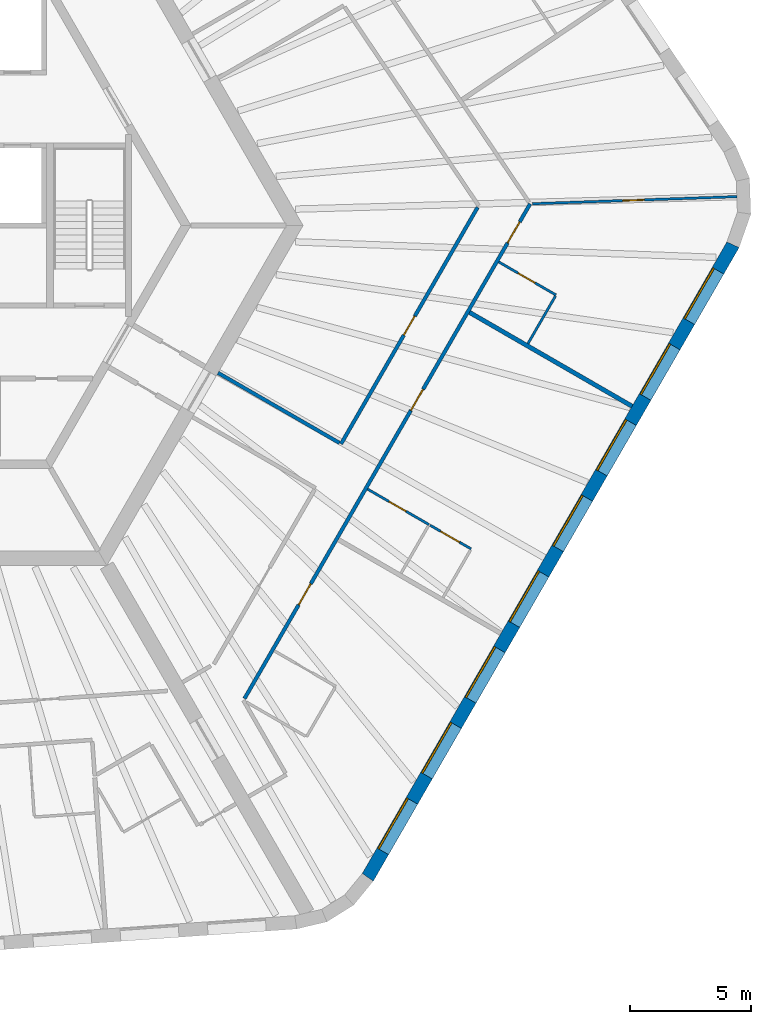
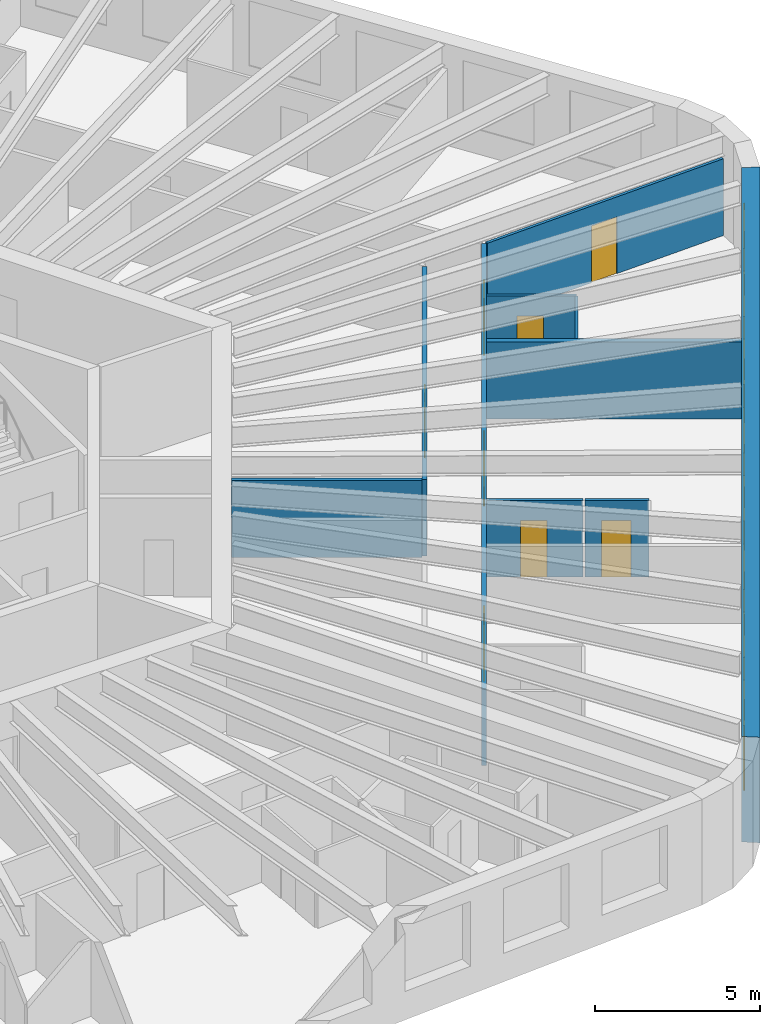
# One storey, part 6 of 12: 10 walls, 8 doors, 8 windows, 16 openings.
"""IFC4 building model written with IfcOpenShell, lengths in metres."""

from ifc_helpers import new_model, si_unit, direction, frame, frame_2d, origin, place, context, subcontext, project, spatial, polyline, rectangle, outline, extrude, material, layer, layer_set, type_object, element, fill, save


model = new_model("IFC4")

# Units and contexts
model_context = context("Model", 3, precision=1e-05, world=origin(), true_north=direction((0.0, 1.0)))
body_context = subcontext(model_context, "Body", "Model", "MODEL_VIEW")
ifc_project = project(units=[si_unit("LENGTHUNIT", "METRE"), si_unit("AREAUNIT", "SQUARE_METRE"), si_unit("VOLUMEUNIT", "CUBIC_METRE"), si_unit("PLANEANGLEUNIT", "RADIAN"), si_unit("MASSUNIT", "GRAM", prefix="KILO")], contexts=[model_context])

# Site, building, storey
site_placement = place(None, origin())
site = spatial("IfcSite", under=ifc_project, at=site_placement, CompositionType="ELEMENT")
building_placement = place(site_placement, origin())
building = spatial("IfcBuilding", under=site, at=building_placement, Name="Tarnside Tower", CompositionType="ELEMENT")
storey_placement = place(building_placement, frame((0.0, 0.0, 138.89990234375)))
storey = spatial("IfcBuildingStorey", under=building, at=storey_placement, Name="L32", CompositionType="ELEMENT", Elevation=138.89990234375)

# Wall, opening, door
ifc_material_1 = material(Name="Gypsum board partition on steel studs", Category="steel")
ifc_layer_1 = layer(ifc_material_1, 0.10009765625)
ifc_layer_set_1 = layer_set([ifc_layer_1], Name="Bathroom wall 100")
wall_type_1 = type_object("IfcWallType", Name="Bathroom wall 100", PredefinedType="PARTITIONING", material=ifc_layer_set_1)
wall_1_placement = place(storey_placement, frame((18.81982421875, -10.85302734375, 0.0), z_axis=(0.0, 0.0, 1.0), x_axis=(0.866046596414, -0.499963291492, 0.0)))
wall_1 = element("IfcWall", 1, at=wall_1_placement, inside=storey, type_object=wall_type_1, Name="Bathroom wall 10138", PredefinedType="PARTITIONING", context=body_context, shape_type="SweptSolid", body=[
    extrude(rectangle(XDim=2.925048828125, YDim=0.10009765625, at=frame_2d((1.46240234375, 0.0))), origin(), (0.0, 0.0, 1.0), 2.837890625),
])
opening_1_placement = place(wall_1_placement, frame((1.02490234375, 0.0, 0.0)))
opening_1 = element("IfcOpeningElement", 2, at=opening_1_placement, cuts=wall_1, Name="Opening D-B1", PredefinedType="OPENING", context=body_context, shape_type="SweptSolid", body=[
    extrude(rectangle(XDim=0.800048828125, YDim=2.10009765625, at=frame_2d((0.39990234375, 1.050048828125))), frame((0.0, 0.06005859375, 0.0), z_axis=(0.0, -1.0, 0.0), x_axis=(1.0, 0.0, 0.0)), (0.0, 0.0, 1.0), 0.1201171875),
])
ifc_material_2 = material(Name="Timber door leaf", Category="wood")
door_type_1 = type_object("IfcDoorType", Name="Bathroom door 800", OperationType="NOTDEFINED", PredefinedType="DOOR", material=ifc_material_2)
door_1_placement = place(opening_1_placement, origin())
door_1 = element("IfcDoor", 3, at=door_1_placement, inside=storey, type_object=door_type_1, Name="Bathroom door 10032", OperationType="SINGLE_SWING_RIGHT", OverallHeight=2.10009765625, OverallWidth=0.800048828125, PredefinedType="DOOR", context=body_context, shape_type="SweptSolid", body=[
    extrude(rectangle(XDim=0.800048828125, YDim=2.10009765625, at=frame_2d((0.39990234375, 1.050048828125))), frame((0.0, 0.02490234375, 0.0), z_axis=(0.0, -1.0, 0.0), x_axis=(1.0, 0.0, 0.0)), (0.0, 0.0, 1.0), 0.050048828125),
])
fill(opening_1, door_1)

wall_2_placement = place(storey_placement, frame((24.219970703125, -1.499755859375, 0.0), z_axis=(0.0, 0.0, 1.0), x_axis=(0.866012511928, -0.500022328685, 0.0)))
wall_2 = element("IfcWall", 4, at=wall_2_placement, inside=storey, type_object=wall_type_1, Name="Bathroom wall 10144", PredefinedType="PARTITIONING", context=body_context, shape_type="SweptSolid", body=[
    extrude(rectangle(XDim=2.72509765625, YDim=0.10009765625, at=frame_2d((1.362548828125, 0.0))), origin(), (0.0, 0.0, 1.0), 2.837890625),
])
opening_2_placement = place(wall_2_placement, frame((0.925048828125, 0.0, 0.0)))
opening_2 = element("IfcOpeningElement", 5, at=opening_2_placement, cuts=wall_2, Name="Opening D-B1", PredefinedType="OPENING", context=body_context, shape_type="SweptSolid", body=[
    extrude(rectangle(XDim=0.800048828125, YDim=2.10009765625, at=frame_2d((0.39990234375, 1.050048828125))), frame((0.0, 0.06005859375, 0.0), z_axis=(0.0, -1.0, 0.0), x_axis=(1.0, 0.0, 0.0)), (0.0, 0.0, 1.0), 0.1201171875),
])
door_2_placement = place(opening_2_placement, origin())
door_2 = element("IfcDoor", 6, at=door_2_placement, inside=storey, type_object=door_type_1, Name="Bathroom door 10035", OperationType="SINGLE_SWING_RIGHT", OverallHeight=2.10009765625, OverallWidth=0.800048828125, PredefinedType="DOOR", context=body_context, shape_type="SweptSolid", body=[
    extrude(rectangle(XDim=0.800048828125, YDim=2.10009765625, at=frame_2d((0.39990234375, 1.050048828125))), frame((0.0, 0.02490234375, 0.0), z_axis=(0.0, -1.0, 0.0), x_axis=(1.0, 0.0, 0.0)), (0.0, 0.0, 1.0), 0.050048828125),
])
fill(opening_2, door_2)

# Wall
wall_3_placement = place(storey_placement, frame((26.554931640625, -2.90576171875, 0.0), z_axis=(0.0, 0.0, 1.0), x_axis=(-0.500077800282, -0.865980481111, 0.0)))
element("IfcWall", 7, at=wall_3_placement, inside=storey, type_object=wall_type_1, Name="Bathroom wall 10145", PredefinedType="PARTITIONING", context=body_context, shape_type="SweptSolid", body=[
    extrude(rectangle(XDim=2.260009765625, YDim=0.10009765625, at=frame_2d((1.1298828125, 0.0))), origin(), (0.0, 0.0, 1.0), 2.837890625),
])

# Wall, openings, doors
ifc_layer_2 = layer(ifc_material_1, 0.14990234375)
ifc_layer_set_2 = layer_set([ifc_layer_2], Name="Corridor wall 150 EI 60")
wall_type_2 = type_object("IfcWallType", Name="Corridor wall 150 EI 60", PredefinedType="PARTITIONING", material=ifc_layer_set_2)
wall_4_placement = place(storey_placement, frame((13.75537109375, -19.47509765625, 0.0), z_axis=(0.0, 0.0, 1.0), x_axis=(0.50000013933, 0.866025323342, 0.0)))
wall_4 = element("IfcWall", 8, at=wall_4_placement, inside=storey, type_object=wall_type_2, Name="Corridor wall 10053", PredefinedType="PARTITIONING", context=body_context, shape_type="SweptSolid", body=[
    extrude(rectangle(XDim=23.5166015625, YDim=0.14990234375, at=frame_2d((11.75830078125, 0.0))), origin(), (0.0, 0.0, 1.0), 2.837890625),
])
opening_3_placement = place(wall_4_placement, frame((4.456298828125, 0.0, 0.0)))
opening_3 = element("IfcOpeningElement", 9, at=opening_3_placement, cuts=wall_4, Name="Opening D-E1", PredefinedType="OPENING", context=body_context, shape_type="SweptSolid", body=[
    extrude(rectangle(XDim=1.0, YDim=2.10009765625, at=frame_2d((0.5, 1.050048828125))), frame((0.0, 0.0849609375, 0.0), z_axis=(0.0, -1.0, 0.0), x_axis=(1.0, 0.0, 0.0)), (0.0, 0.0, 1.0), 0.169921875),
])
opening_4_placement = place(wall_4_placement, frame((13.69921875, 0.0, 0.0)))
opening_4 = element("IfcOpeningElement", 10, at=opening_4_placement, cuts=wall_4, Name="Opening D-E1", PredefinedType="OPENING", context=body_context, shape_type="SweptSolid", body=[
    extrude(rectangle(XDim=1.0, YDim=2.10009765625, at=frame_2d((0.5, 1.050048828125))), frame((0.0, 0.0849609375, 0.0), z_axis=(0.0, -1.0, 0.0), x_axis=(1.0, 0.0, 0.0)), (0.0, 0.0, 1.0), 0.169921875),
])
opening_5_placement = place(wall_4_placement, frame((21.657958984375, 0.0, 0.0)))
opening_5 = element("IfcOpeningElement", 11, at=opening_5_placement, cuts=wall_4, Name="Opening D-E1", PredefinedType="OPENING", context=body_context, shape_type="SweptSolid", body=[
    extrude(rectangle(XDim=1.0, YDim=2.10009765625, at=frame_2d((0.5, 1.050048828125))), frame((0.0, 0.0849609375, 0.0), z_axis=(0.0, -1.0, 0.0), x_axis=(1.0, 0.0, 0.0)), (0.0, 0.0, 1.0), 0.169921875),
])
door_type_2 = type_object("IfcDoorType", Name="Unit entrance door 1000 FD30S", OperationType="NOTDEFINED", PredefinedType="DOOR", material=ifc_material_2)
door_3_placement = place(opening_3_placement, origin())
door_3 = element("IfcDoor", 12, at=door_3_placement, inside=storey, type_object=door_type_2, Name="Unit door 10029", OperationType="SINGLE_SWING_LEFT", OverallHeight=2.10009765625, OverallWidth=1.0, PredefinedType="DOOR", context=body_context, shape_type="SweptSolid", body=[
    extrude(rectangle(XDim=1.0, YDim=2.10009765625, at=frame_2d((0.5, 1.050048828125))), frame((0.0, 0.02490234375, 0.0), z_axis=(0.0, -1.0, 0.0), x_axis=(1.0, 0.0, 0.0)), (0.0, 0.0, 1.0), 0.050048828125),
])
fill(opening_3, door_3)
door_4_placement = place(opening_4_placement, origin())
door_4 = element("IfcDoor", 13, at=door_4_placement, inside=storey, type_object=door_type_2, Name="Unit door 10031", OperationType="SINGLE_SWING_RIGHT", OverallHeight=2.10009765625, OverallWidth=1.0, PredefinedType="DOOR", context=body_context, shape_type="SweptSolid", body=[
    extrude(rectangle(XDim=1.0, YDim=2.10009765625, at=frame_2d((0.5, 1.050048828125))), frame((0.0, 0.02490234375, 0.0), z_axis=(0.0, -1.0, 0.0), x_axis=(1.0, 0.0, 0.0)), (0.0, 0.0, 1.0), 0.050048828125),
])
fill(opening_4, door_4)
door_5_placement = place(opening_5_placement, origin())
door_5 = element("IfcDoor", 14, at=door_5_placement, inside=storey, type_object=door_type_2, Name="Unit door 10034", OperationType="SINGLE_SWING_RIGHT", OverallHeight=2.10009765625, OverallWidth=1.0, PredefinedType="DOOR", context=body_context, shape_type="SweptSolid", body=[
    extrude(rectangle(XDim=1.0, YDim=2.10009765625, at=frame_2d((0.5, 1.050048828125))), frame((0.0, 0.02490234375, 0.0), z_axis=(0.0, -1.0, 0.0), x_axis=(1.0, 0.0, 0.0)), (0.0, 0.0, 1.0), 0.050048828125),
])
fill(opening_5, door_5)

# Wall, opening, door
wall_5_placement = place(storey_placement, frame((23.350830078125, 0.74462890625, 0.0), z_axis=(0.0, 0.0, 1.0), x_axis=(-0.500009458068, -0.866019943097, 0.0)))
wall_5 = element("IfcWall", 15, at=wall_5_placement, inside=storey, type_object=wall_type_2, Name="Corridor wall 10069", PredefinedType="PARTITIONING", context=body_context, shape_type="SweptSolid", body=[
    extrude(rectangle(XDim=11.241455078125, YDim=0.14990234375, at=frame_2d((5.62060546875, 0.0))), origin(), (0.0, 0.0, 1.0), 2.837890625),
])
opening_6_placement = place(wall_5_placement, frame((5.170654296875, 0.0, 0.0)))
opening_6 = element("IfcOpeningElement", 16, at=opening_6_placement, cuts=wall_5, Name="Opening D-S1", PredefinedType="OPENING", context=body_context, shape_type="SweptSolid", body=[
    extrude(rectangle(XDim=0.89990234375, YDim=2.10009765625, at=frame_2d((0.449951171875, 1.050048828125))), frame((0.0, 0.0849609375, 0.0), z_axis=(0.0, -1.0, 0.0), x_axis=(1.0, 0.0, 0.0)), (0.0, 0.0, 1.0), 0.169921875),
])
door_type_3 = type_object("IfcDoorType", Name="Service room door 900 FD30S", OperationType="NOTDEFINED", PredefinedType="DOOR", material=ifc_material_2)
door_6_placement = place(opening_6_placement, origin())
door_6 = element("IfcDoor", 17, at=door_6_placement, inside=storey, type_object=door_type_3, Name="Service door 10048", OperationType="SINGLE_SWING_LEFT", OverallHeight=2.10009765625, OverallWidth=0.89990234375, PredefinedType="DOOR", context=body_context, shape_type="SweptSolid", body=[
    extrude(rectangle(XDim=0.89990234375, YDim=2.10009765625, at=frame_2d((0.449951171875, 1.050048828125))), frame((0.0, 0.02490234375, 0.0), z_axis=(0.0, -1.0, 0.0), x_axis=(1.0, 0.0, 0.0)), (0.0, 0.0, 1.0), 0.050048828125),
])
fill(opening_6, door_6)

# Walls
wall_6_placement = place(storey_placement, frame((17.6650390625, -8.953125, 0.0), z_axis=(0.0, 0.0, 1.0), x_axis=(-0.866025774745, 0.499999357477, 0.0)))
element("IfcWall", 18, at=wall_6_placement, inside=storey, type_object=wall_type_2, Name="Corridor wall 10070", PredefinedType="PARTITIONING", context=body_context, shape_type="SweptSolid", body=[
    extrude(rectangle(XDim=5.77490234375, YDim=0.14990234375, at=frame_2d((2.887451171875, 0.0))), origin(), (0.0, 0.0, 1.0), 2.837890625),
])
ifc_layer_3 = layer(ifc_material_1, 0.179931640625)
ifc_layer_set_3 = layer_set([ifc_layer_3], Name="Demising wall 180 EI 60")
wall_type_3 = type_object("IfcWallType", Name="Demising wall 180 EI 60", PredefinedType="PARTITIONING", material=ifc_layer_set_3)
wall_7_placement = place(storey_placement, frame((29.7099609375, -7.44091796875, 0.0), z_axis=(0.0, 0.0, 1.0), x_axis=(-0.866019273868, 0.500010617176, 0.0)))
element("IfcWall", 19, at=wall_7_placement, inside=storey, type_object=wall_type_3, Name="Demising wall 10141", PredefinedType="PARTITIONING", context=body_context, shape_type="SweptSolid", body=[
    extrude(rectangle(XDim=7.724853515625, YDim=0.179931640625, at=frame_2d((3.8623046875, 0.0))), origin(), (0.0, 0.0, 1.0), 2.837890625),
])

# Wall, opening, door
ifc_layer_4 = layer(ifc_material_1, 0.10009765625)
ifc_layer_set_4 = layer_set([ifc_layer_4], Name="Partition 100")
wall_type_4 = type_object("IfcWallType", Name="Partition 100", PredefinedType="PARTITIONING", material=ifc_layer_set_4)
wall_8_placement = place(storey_placement, frame((21.396240234375, -12.34033203125, 0.0), z_axis=(0.0, 0.0, 1.0), x_axis=(0.866031321059, -0.49998975084, 0.0)))
wall_8 = element("IfcWall", 20, at=wall_8_placement, inside=storey, type_object=wall_type_4, Name="Partition wall 10139", PredefinedType="PARTITIONING", context=body_context, shape_type="SweptSolid", body=[
    extrude(rectangle(XDim=1.9501953125, YDim=0.10009765625, at=frame_2d((0.97509765625, 0.0))), origin(), (0.0, 0.0, 1.0), 2.837890625),
])
opening_7_placement = place(wall_8_placement, frame((0.5, 0.0, 0.0)))
opening_7 = element("IfcOpeningElement", 21, at=opening_7_placement, cuts=wall_8, Name="Opening D-I1", PredefinedType="OPENING", context=body_context, shape_type="SweptSolid", body=[
    extrude(rectangle(XDim=0.89990234375, YDim=2.10009765625, at=frame_2d((0.449951171875, 1.050048828125))), frame((0.0, 0.06005859375, 0.0), z_axis=(0.0, -1.0, 0.0), x_axis=(1.0, 0.0, 0.0)), (0.0, 0.0, 1.0), 0.1201171875),
])
door_type_4 = type_object("IfcDoorType", Name="Internal door 900", OperationType="NOTDEFINED", PredefinedType="DOOR", material=ifc_material_2)
door_7_placement = place(opening_7_placement, origin())
door_7 = element("IfcDoor", 22, at=door_7_placement, inside=storey, type_object=door_type_4, Name="Internal door 10033", OperationType="SINGLE_SWING_RIGHT", OverallHeight=2.10009765625, OverallWidth=0.89990234375, PredefinedType="DOOR", context=body_context, shape_type="SweptSolid", body=[
    extrude(rectangle(XDim=0.89990234375, YDim=2.10009765625, at=frame_2d((0.449951171875, 1.050048828125))), frame((0.0, 0.02490234375, 0.0), z_axis=(0.0, -1.0, 0.0), x_axis=(1.0, 0.0, 0.0)), (0.0, 0.0, 1.0), 0.050048828125),
])
fill(opening_7, door_7)

wall_9_placement = place(storey_placement, frame((34.0234375, 1.188232421875, 0.0), z_axis=(0.0, 0.0, 1.0), x_axis=(-0.999390379298, -0.03491231539, 0.0)))
wall_9 = element("IfcWall", 23, at=wall_9_placement, inside=storey, type_object=wall_type_4, Name="Partition wall 10146", PredefinedType="PARTITIONING", context=body_context, shape_type="SweptSolid", body=[
    extrude(rectangle(XDim=8.426513671875, YDim=0.10009765625, at=frame_2d((4.21337890625, 0.0))), origin(), (0.0, 0.0, 1.0), 2.837890625),
])
opening_8_placement = place(wall_9_placement, frame((3.8076171875, 0.0, 0.0)))
opening_8 = element("IfcOpeningElement", 24, at=opening_8_placement, cuts=wall_9, Name="Opening D-I1", PredefinedType="OPENING", context=body_context, shape_type="SweptSolid", body=[
    extrude(rectangle(XDim=0.89990234375, YDim=2.10009765625, at=frame_2d((0.449951171875, 1.050048828125))), frame((0.0, 0.06005859375, 0.0), z_axis=(0.0, -1.0, 0.0), x_axis=(1.0, 0.0, 0.0)), (0.0, 0.0, 1.0), 0.1201171875),
])
door_8_placement = place(opening_8_placement, origin())
door_8 = element("IfcDoor", 25, at=door_8_placement, inside=storey, type_object=door_type_4, Name="Internal door 10036", OperationType="SINGLE_SWING_LEFT", OverallHeight=2.10009765625, OverallWidth=0.89990234375, PredefinedType="DOOR", context=body_context, shape_type="SweptSolid", body=[
    extrude(rectangle(XDim=0.89990234375, YDim=2.10009765625, at=frame_2d((0.449951171875, 1.050048828125))), frame((0.0, 0.02490234375, 0.0), z_axis=(0.0, -1.0, 0.0), x_axis=(1.0, 0.0, 0.0)), (0.0, 0.0, 1.0), 0.050048828125),
])
fill(opening_8, door_8)

# Wall, openings, windows
ifc_material_3 = material(Name="Facing brick", Category="masonry")
ifc_layer_5 = layer(ifc_material_3, 0.10205078125)
ifc_material_4 = material(Name="Concrete C60/75 precast", Category="concrete")
ifc_layer_6 = layer(ifc_material_4, 0.347900390625)
ifc_material_5 = material(Name="Mineral wool insulation")
ifc_layer_7 = layer(ifc_material_5, 0.10009765625)
ifc_layer_set_5 = layer_set([ifc_layer_5, ifc_layer_6, ifc_layer_7], Name="Tube wall 550 brick faced")
wall_type_5 = type_object("IfcWallType", Name="Tube wall 550 brick faced", PredefinedType="SOLIDWALL", material=ifc_layer_set_5)
wall_10_placement = place(storey_placement, frame((18.830322265625, -26.834716796875, -0.14990234375), z_axis=(0.0, 0.0, 1.0), x_axis=(0.500003800416, 0.866023209602, 0.0)))
wall_10 = element("IfcWall", 26, at=wall_10_placement, inside=storey, type_object=wall_type_5, Name="Tube wall L32 F5 flush 16", PredefinedType="SOLIDWALL", context=body_context, shape_type="SweptSolid", body=[
    extrude(outline(polyline([(-0.0224609375, -0.27490234375), (30.0966796875, -0.27490234375), (30.04541015625, 0.27490234375), (0.0224609375, 0.27490234375), (-0.0224609375, -0.27490234375)])), origin(), (0.0, 0.0, 1.0), 3.89990234375),
])
opening_9_placement = place(wall_10_placement, frame((1.235595703125, 0.0, 1.050048828125)))
opening_9 = element("IfcOpeningElement", 27, at=opening_9_placement, cuts=wall_10, Name="Opening WH", PredefinedType="OPENING", context=body_context, shape_type="SweptSolid", body=[
    extrude(rectangle(XDim=2.39990234375, YDim=2.39990234375, at=frame_2d((1.199951171875, 1.199951171875))), frame((0.0, 0.28515625, 0.0), z_axis=(0.0, -1.0, 0.0), x_axis=(1.0, 0.0, 0.0)), (0.0, 0.0, 1.0), 0.570068359375),
])
opening_10_placement = place(wall_10_placement, frame((4.83544921875, 0.0, 1.050048828125)))
opening_10 = element("IfcOpeningElement", 28, at=opening_10_placement, cuts=wall_10, Name="Opening WH", PredefinedType="OPENING", context=body_context, shape_type="SweptSolid", body=[
    extrude(rectangle(XDim=2.39990234375, YDim=2.39990234375, at=frame_2d((1.199951171875, 1.199951171875))), frame((0.0, 0.28515625, 0.0), z_axis=(0.0, -1.0, 0.0), x_axis=(1.0, 0.0, 0.0)), (0.0, 0.0, 1.0), 0.570068359375),
])
opening_11_placement = place(wall_10_placement, frame((8.435546875, 0.0, 1.050048828125)))
opening_11 = element("IfcOpeningElement", 29, at=opening_11_placement, cuts=wall_10, Name="Opening WH", PredefinedType="OPENING", context=body_context, shape_type="SweptSolid", body=[
    extrude(rectangle(XDim=2.39990234375, YDim=2.39990234375, at=frame_2d((1.199951171875, 1.199951171875))), frame((0.0, 0.28515625, 0.0), z_axis=(0.0, -1.0, 0.0), x_axis=(1.0, 0.0, 0.0)), (0.0, 0.0, 1.0), 0.570068359375),
])
opening_12_placement = place(wall_10_placement, frame((12.035400390625, 0.0, 1.050048828125)))
opening_12 = element("IfcOpeningElement", 30, at=opening_12_placement, cuts=wall_10, Name="Opening WH", PredefinedType="OPENING", context=body_context, shape_type="SweptSolid", body=[
    extrude(rectangle(XDim=2.39990234375, YDim=2.39990234375, at=frame_2d((1.199951171875, 1.199951171875))), frame((0.0, 0.28515625, 0.0), z_axis=(0.0, -1.0, 0.0), x_axis=(1.0, 0.0, 0.0)), (0.0, 0.0, 1.0), 0.570068359375),
])
opening_13_placement = place(wall_10_placement, frame((15.635498046875, 0.0, 1.050048828125)))
opening_13 = element("IfcOpeningElement", 31, at=opening_13_placement, cuts=wall_10, Name="Opening WH", PredefinedType="OPENING", context=body_context, shape_type="SweptSolid", body=[
    extrude(rectangle(XDim=2.39990234375, YDim=2.39990234375, at=frame_2d((1.199951171875, 1.199951171875))), frame((0.0, 0.28515625, 0.0), z_axis=(0.0, -1.0, 0.0), x_axis=(1.0, 0.0, 0.0)), (0.0, 0.0, 1.0), 0.570068359375),
])
opening_14_placement = place(wall_10_placement, frame((19.235595703125, 0.0, 1.050048828125)))
opening_14 = element("IfcOpeningElement", 32, at=opening_14_placement, cuts=wall_10, Name="Opening WH", PredefinedType="OPENING", context=body_context, shape_type="SweptSolid", body=[
    extrude(rectangle(XDim=2.39990234375, YDim=2.39990234375, at=frame_2d((1.199951171875, 1.199951171875))), frame((0.0, 0.28515625, 0.0), z_axis=(0.0, -1.0, 0.0), x_axis=(1.0, 0.0, 0.0)), (0.0, 0.0, 1.0), 0.570068359375),
])
opening_15_placement = place(wall_10_placement, frame((22.83544921875, 0.0, 1.050048828125)))
opening_15 = element("IfcOpeningElement", 33, at=opening_15_placement, cuts=wall_10, Name="Opening WH", PredefinedType="OPENING", context=body_context, shape_type="SweptSolid", body=[
    extrude(rectangle(XDim=2.39990234375, YDim=2.39990234375, at=frame_2d((1.199951171875, 1.199951171875))), frame((0.0, 0.28515625, 0.0), z_axis=(0.0, -1.0, 0.0), x_axis=(1.0, 0.0, 0.0)), (0.0, 0.0, 1.0), 0.570068359375),
])
opening_16_placement = place(wall_10_placement, frame((26.435546875, 0.0, 1.050048828125)))
opening_16 = element("IfcOpeningElement", 34, at=opening_16_placement, cuts=wall_10, Name="Opening WH", PredefinedType="OPENING", context=body_context, shape_type="SweptSolid", body=[
    extrude(rectangle(XDim=2.39990234375, YDim=2.39990234375, at=frame_2d((1.199951171875, 1.199951171875))), frame((0.0, 0.28515625, 0.0), z_axis=(0.0, -1.0, 0.0), x_axis=(1.0, 0.0, 0.0)), (0.0, 0.0, 1.0), 0.570068359375),
])
ifc_material_6 = material(Name="Aluminium-framed double glazing", Category="aluminium")
window_type = type_object("IfcWindowType", Name="Hotel window 2400 x 2400", PartitioningType="DOUBLE_PANEL_VERTICAL", PredefinedType="WINDOW", material=ifc_material_6)
window_1_placement = place(opening_9_placement, frame((0.0, 0.205078125, 0.0)))
window_1 = element("IfcWindow", 35, at=window_1_placement, inside=storey, type_object=window_type, Name="E.WN.L32.F5.00", OverallHeight=2.39990234375, OverallWidth=2.39990234375, PartitioningType="DOUBLE_PANEL_VERTICAL", PredefinedType="WINDOW", context=body_context, shape_type="SweptSolid", body=[
    extrude(rectangle(XDim=2.39990234375, YDim=2.39990234375, at=frame_2d((1.199951171875, 1.199951171875))), frame((0.0, 0.030029296875, 0.0), z_axis=(0.0, -1.0, 0.0), x_axis=(1.0, 0.0, 0.0)), (0.0, 0.0, 1.0), 0.06005859375),
])
fill(opening_9, window_1)
window_2_placement = place(opening_10_placement, frame((0.0, 0.205078125, 0.0)))
window_2 = element("IfcWindow", 36, at=window_2_placement, inside=storey, type_object=window_type, Name="E.WN.L32.F5.01", OverallHeight=2.39990234375, OverallWidth=2.39990234375, PartitioningType="DOUBLE_PANEL_VERTICAL", PredefinedType="WINDOW", context=body_context, shape_type="SweptSolid", body=[
    extrude(rectangle(XDim=2.39990234375, YDim=2.39990234375, at=frame_2d((1.199951171875, 1.199951171875))), frame((0.0, 0.030029296875, 0.0), z_axis=(0.0, -1.0, 0.0), x_axis=(1.0, 0.0, 0.0)), (0.0, 0.0, 1.0), 0.06005859375),
])
fill(opening_10, window_2)
window_3_placement = place(opening_11_placement, frame((0.0, 0.205078125, 0.0)))
window_3 = element("IfcWindow", 37, at=window_3_placement, inside=storey, type_object=window_type, Name="E.WN.L32.F5.02", OverallHeight=2.39990234375, OverallWidth=2.39990234375, PartitioningType="DOUBLE_PANEL_VERTICAL", PredefinedType="WINDOW", context=body_context, shape_type="SweptSolid", body=[
    extrude(rectangle(XDim=2.39990234375, YDim=2.39990234375, at=frame_2d((1.199951171875, 1.199951171875))), frame((0.0, 0.030029296875, 0.0), z_axis=(0.0, -1.0, 0.0), x_axis=(1.0, 0.0, 0.0)), (0.0, 0.0, 1.0), 0.06005859375),
])
fill(opening_11, window_3)
window_4_placement = place(opening_12_placement, frame((0.0, 0.205078125, 0.0)))
window_4 = element("IfcWindow", 38, at=window_4_placement, inside=storey, type_object=window_type, Name="E.WN.L32.F5.03", OverallHeight=2.39990234375, OverallWidth=2.39990234375, PartitioningType="DOUBLE_PANEL_VERTICAL", PredefinedType="WINDOW", context=body_context, shape_type="SweptSolid", body=[
    extrude(rectangle(XDim=2.39990234375, YDim=2.39990234375, at=frame_2d((1.199951171875, 1.199951171875))), frame((0.0, 0.030029296875, 0.0), z_axis=(0.0, -1.0, 0.0), x_axis=(1.0, 0.0, 0.0)), (0.0, 0.0, 1.0), 0.06005859375),
])
fill(opening_12, window_4)
window_5_placement = place(opening_13_placement, frame((0.0, 0.205078125, 0.0)))
window_5 = element("IfcWindow", 39, at=window_5_placement, inside=storey, type_object=window_type, Name="E.WN.L32.F5.04", OverallHeight=2.39990234375, OverallWidth=2.39990234375, PartitioningType="DOUBLE_PANEL_VERTICAL", PredefinedType="WINDOW", context=body_context, shape_type="SweptSolid", body=[
    extrude(rectangle(XDim=2.39990234375, YDim=2.39990234375, at=frame_2d((1.199951171875, 1.199951171875))), frame((0.0, 0.030029296875, 0.0), z_axis=(0.0, -1.0, 0.0), x_axis=(1.0, 0.0, 0.0)), (0.0, 0.0, 1.0), 0.06005859375),
])
fill(opening_13, window_5)
window_6_placement = place(opening_14_placement, frame((0.0, 0.205078125, 0.0)))
window_6 = element("IfcWindow", 40, at=window_6_placement, inside=storey, type_object=window_type, Name="E.WN.L32.F5.05", OverallHeight=2.39990234375, OverallWidth=2.39990234375, PartitioningType="DOUBLE_PANEL_VERTICAL", PredefinedType="WINDOW", context=body_context, shape_type="SweptSolid", body=[
    extrude(rectangle(XDim=2.39990234375, YDim=2.39990234375, at=frame_2d((1.199951171875, 1.199951171875))), frame((0.0, 0.030029296875, 0.0), z_axis=(0.0, -1.0, 0.0), x_axis=(1.0, 0.0, 0.0)), (0.0, 0.0, 1.0), 0.06005859375),
])
fill(opening_14, window_6)
window_7_placement = place(opening_15_placement, frame((0.0, 0.205078125, 0.0)))
window_7 = element("IfcWindow", 41, at=window_7_placement, inside=storey, type_object=window_type, Name="E.WN.L32.F5.06", OverallHeight=2.39990234375, OverallWidth=2.39990234375, PartitioningType="DOUBLE_PANEL_VERTICAL", PredefinedType="WINDOW", context=body_context, shape_type="SweptSolid", body=[
    extrude(rectangle(XDim=2.39990234375, YDim=2.39990234375, at=frame_2d((1.199951171875, 1.199951171875))), frame((0.0, 0.030029296875, 0.0), z_axis=(0.0, -1.0, 0.0), x_axis=(1.0, 0.0, 0.0)), (0.0, 0.0, 1.0), 0.06005859375),
])
fill(opening_15, window_7)
window_8_placement = place(opening_16_placement, frame((0.0, 0.205078125, 0.0)))
window_8 = element("IfcWindow", 42, at=window_8_placement, inside=storey, type_object=window_type, Name="E.WN.L32.F5.07", OverallHeight=2.39990234375, OverallWidth=2.39990234375, PartitioningType="DOUBLE_PANEL_VERTICAL", PredefinedType="WINDOW", context=body_context, shape_type="SweptSolid", body=[
    extrude(rectangle(XDim=2.39990234375, YDim=2.39990234375, at=frame_2d((1.199951171875, 1.199951171875))), frame((0.0, 0.030029296875, 0.0), z_axis=(0.0, -1.0, 0.0), x_axis=(1.0, 0.0, 0.0)), (0.0, 0.0, 1.0), 0.06005859375),
])
fill(opening_16, window_8)

save(model, "model.ifc")
